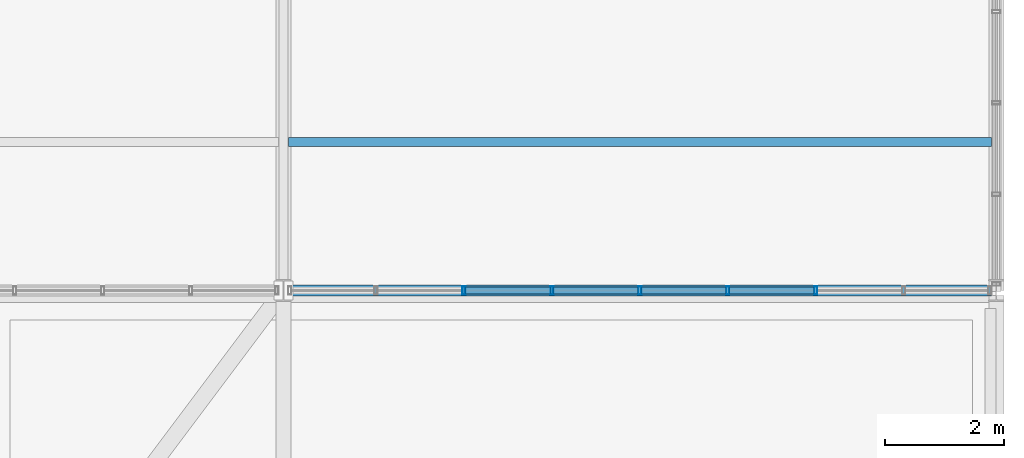
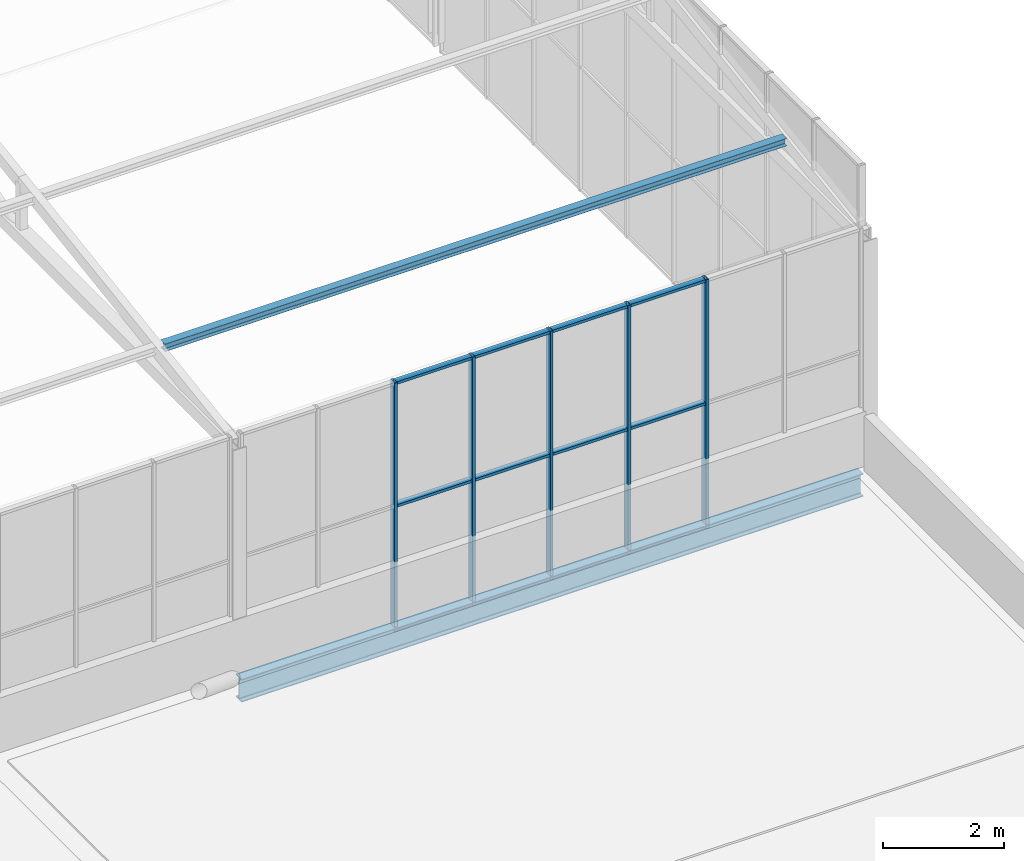
# One storey, part 60 of 104: 17 members, 2 beams, 1 element without a shape of its own.
"""IFC4 building model written with IfcOpenShell, lengths in metres."""

from ifc_helpers import new_model, si_unit, direction, frame, origin, origin_2d, place, context, subcontext, project, spatial, hollow_rectangle, i_section, extrude, material, layer, layer_set, material_profile, profile_set, type_object, element, aggregate, save


model = new_model("IFC4")

# Units and contexts
model_context = context("Model", 3, precision=1e-05, world=origin(), true_north=direction((0.0, 1.0)))
body_context = subcontext(model_context, "Body", "Model", "MODEL_VIEW")
ifc_project = project(units=[si_unit("LENGTHUNIT", "METRE"), si_unit("AREAUNIT", "SQUARE_METRE"), si_unit("VOLUMEUNIT", "CUBIC_METRE"), si_unit("PLANEANGLEUNIT", "RADIAN"), si_unit("MASSUNIT", "GRAM", prefix="KILO")], contexts=[model_context])

# Site, building, storey
site_placement = place(None, origin())
site = spatial("IfcSite", under=ifc_project, at=site_placement, CompositionType="ELEMENT")
building_placement = place(site_placement, origin())
building = spatial("IfcBuilding", under=site, at=building_placement, Name="Solvenia Promenade Tram Depot", CompositionType="ELEMENT")
storey_placement = place(building_placement, frame((0.0, 0.0, 9.0)))
storey = spatial("IfcBuildingStorey", under=building, at=storey_placement, Name="L02", CompositionType="ELEMENT", Elevation=9.0)

# Curtain wall, members
ifc_material_1 = material(Name="Anodized aluminium AW-6063 T6", Category="aluminium")
ifc_layer = layer(ifc_material_1, 0.080078125, Name="Anodized aluminium AW-6063 T6", Category="aluminium")
ifc_layer_set = layer_set([ifc_layer], Name="Anodized aluminium AW-6063 T6")
curtain_wall_type = type_object("IfcCurtainWallType", Name="CW-Clerest-1500", PredefinedType="NOTDEFINED", material=ifc_layer_set)
curtain_wall_placement = place(storey_placement, origin())
curtain_wall = element("IfcCurtainWall", 1, at=curtain_wall_placement, inside=storey, type_object=curtain_wall_type, Name="Curtain Wall CW-V2S-L2-09", PredefinedType="NOTDEFINED")
ifc_material_profile_1 = material_profile(ifc_material_1, hollow_rectangle(XDim=0.139892578125, YDim=0.054931640625, WallThickness=0.00390625, at=origin_2d()), Name="ALU-M4", Category="aluminium")
ifc_profile_set_1 = profile_set([ifc_material_profile_1], Name="Anodized aluminium AW-6063 T6")
member_type_1 = type_object("IfcMemberType", Name="CWM-Mullion-4", PredefinedType="MULLION", material=ifc_profile_set_1)
member_1_placement = place(storey_placement, frame((177.0400390625, 24.0, -0.300048828125), z_axis=(0.0, 0.0, 1.0), x_axis=(0.0, 1.0, 0.0)))
member_1 = element("IfcMember", 2, at=member_1_placement, type_object=member_type_1, Name="CW-4 mullion 3", PredefinedType="MULLION", context=body_context, shape_type="SweptSolid", body=[
    extrude(hollow_rectangle(XDim=0.139892578125, YDim=0.054931640625, WallThickness=0.00390625, at=origin_2d()), origin(), (0.0, 0.0, 1.0), 5.0),
])
member_2_placement = place(storey_placement, frame((178.52001953125, 24.0, -0.300048828125), z_axis=(0.0, 0.0, 1.0), x_axis=(0.0, 1.0, 0.0)))
member_2 = element("IfcMember", 3, at=member_2_placement, type_object=member_type_1, Name="CW-4 mullion 4", PredefinedType="MULLION", context=body_context, shape_type="SweptSolid", body=[
    extrude(hollow_rectangle(XDim=0.139892578125, YDim=0.054931640625, WallThickness=0.00390625, at=origin_2d()), origin(), (0.0, 0.0, 1.0), 5.0),
])
member_3_placement = place(storey_placement, frame((180.0, 24.0, -0.300048828125), z_axis=(0.0, 0.0, 1.0), x_axis=(0.0, 1.0, 0.0)))
member_3 = element("IfcMember", 4, at=member_3_placement, type_object=member_type_1, Name="CW-4 mullion 5", PredefinedType="MULLION", context=body_context, shape_type="SweptSolid", body=[
    extrude(hollow_rectangle(XDim=0.139892578125, YDim=0.054931640625, WallThickness=0.00390625, at=origin_2d()), origin(), (0.0, 0.0, 1.0), 5.0),
])
member_4_placement = place(storey_placement, frame((181.47998046875, 24.0, -0.300048828125), z_axis=(0.0, 0.0, 1.0), x_axis=(0.0, 1.0, 0.0)))
member_4 = element("IfcMember", 5, at=member_4_placement, type_object=member_type_1, Name="CW-4 mullion 6", PredefinedType="MULLION", context=body_context, shape_type="SweptSolid", body=[
    extrude(hollow_rectangle(XDim=0.139892578125, YDim=0.054931640625, WallThickness=0.00390625, at=origin_2d()), origin(), (0.0, 0.0, 1.0), 5.0),
])
member_5_placement = place(storey_placement, frame((182.9599609375, 24.0, -0.300048828125), z_axis=(0.0, 0.0, 1.0), x_axis=(0.0, 1.0, 0.0)))
member_5 = element("IfcMember", 6, at=member_5_placement, type_object=member_type_1, Name="CW-4 mullion 7", PredefinedType="MULLION", context=body_context, shape_type="SweptSolid", body=[
    extrude(hollow_rectangle(XDim=0.139892578125, YDim=0.054931640625, WallThickness=0.00390625, at=origin_2d()), origin(), (0.0, 0.0, 1.0), 5.0),
])
ifc_material_profile_2 = material_profile(ifc_material_1, hollow_rectangle(XDim=0.110107421875, YDim=0.054931640625, WallThickness=0.00390625, at=origin_2d()), Name="ALU-T4", Category="aluminium")
ifc_profile_set_2 = profile_set([ifc_material_profile_2], Name="Anodized aluminium AW-6063 T6")
member_type_2 = type_object("IfcMemberType", Name="CWT-Transom-4", PredefinedType="USERDEFINED", material=ifc_profile_set_2)
member_6_placement = place(storey_placement, frame((177.0673828125, 24.0, -0.2724609375), z_axis=(1.0, 0.0, 0.0), x_axis=(0.0, 1.0, 0.0)))
member_6 = element("IfcMember", 7, at=member_6_placement, type_object=member_type_2, Name="CW-4 transom 3.1", ObjectType="TRANSOM", PredefinedType="USERDEFINED", context=body_context, shape_type="SweptSolid", body=[
    extrude(hollow_rectangle(XDim=0.110107421875, YDim=0.054931640625, WallThickness=0.00390625, at=origin_2d()), origin(), (0.0, 0.0, 1.0), 1.425048828125),
])
member_7_placement = place(storey_placement, frame((177.0673828125, 24.0, 2.199951171875), z_axis=(1.0, 0.0, 0.0), x_axis=(0.0, 1.0, 0.0)))
member_7 = element("IfcMember", 8, at=member_7_placement, type_object=member_type_2, Name="CW-4 transom 3.2", ObjectType="TRANSOM", PredefinedType="USERDEFINED", context=body_context, shape_type="SweptSolid", body=[
    extrude(hollow_rectangle(XDim=0.110107421875, YDim=0.054931640625, WallThickness=0.00390625, at=origin_2d()), origin(), (0.0, 0.0, 1.0), 1.425048828125),
])
member_8_placement = place(storey_placement, frame((177.0673828125, 24.0, 4.672607421875), z_axis=(1.0, 0.0, 0.0), x_axis=(0.0, 1.0, 0.0)))
member_8 = element("IfcMember", 9, at=member_8_placement, type_object=member_type_2, Name="CW-4 transom 3.3", ObjectType="TRANSOM", PredefinedType="USERDEFINED", context=body_context, shape_type="SweptSolid", body=[
    extrude(hollow_rectangle(XDim=0.110107421875, YDim=0.054931640625, WallThickness=0.00390625, at=origin_2d()), origin(), (0.0, 0.0, 1.0), 1.425048828125),
])
member_9_placement = place(storey_placement, frame((178.547607421875, 24.0, -0.2724609375), z_axis=(1.0, 0.0, 0.0), x_axis=(0.0, 1.0, 0.0)))
member_9 = element("IfcMember", 10, at=member_9_placement, type_object=member_type_2, Name="CW-4 transom 4.1", ObjectType="TRANSOM", PredefinedType="USERDEFINED", context=body_context, shape_type="SweptSolid", body=[
    extrude(hollow_rectangle(XDim=0.110107421875, YDim=0.054931640625, WallThickness=0.00390625, at=origin_2d()), origin(), (0.0, 0.0, 1.0), 1.4248046875),
])
member_10_placement = place(storey_placement, frame((178.547607421875, 24.0, 2.199951171875), z_axis=(1.0, 0.0, 0.0), x_axis=(0.0, 1.0, 0.0)))
member_10 = element("IfcMember", 11, at=member_10_placement, type_object=member_type_2, Name="CW-4 transom 4.2", ObjectType="TRANSOM", PredefinedType="USERDEFINED", context=body_context, shape_type="SweptSolid", body=[
    extrude(hollow_rectangle(XDim=0.110107421875, YDim=0.054931640625, WallThickness=0.00390625, at=origin_2d()), origin(), (0.0, 0.0, 1.0), 1.4248046875),
])
member_11_placement = place(storey_placement, frame((178.547607421875, 24.0, 4.672607421875), z_axis=(1.0, 0.0, 0.0), x_axis=(0.0, 1.0, 0.0)))
member_11 = element("IfcMember", 12, at=member_11_placement, type_object=member_type_2, Name="CW-4 transom 4.3", ObjectType="TRANSOM", PredefinedType="USERDEFINED", context=body_context, shape_type="SweptSolid", body=[
    extrude(hollow_rectangle(XDim=0.110107421875, YDim=0.054931640625, WallThickness=0.00390625, at=origin_2d()), origin(), (0.0, 0.0, 1.0), 1.4248046875),
])
member_12_placement = place(storey_placement, frame((180.027587890625, 24.0, -0.2724609375), z_axis=(1.0, 0.0, 0.0), x_axis=(0.0, 1.0, 0.0)))
member_12 = element("IfcMember", 13, at=member_12_placement, type_object=member_type_2, Name="CW-4 transom 5.1", ObjectType="TRANSOM", PredefinedType="USERDEFINED", context=body_context, shape_type="SweptSolid", body=[
    extrude(hollow_rectangle(XDim=0.110107421875, YDim=0.054931640625, WallThickness=0.00390625, at=origin_2d()), origin(), (0.0, 0.0, 1.0), 1.4248046875),
])
member_13_placement = place(storey_placement, frame((180.027587890625, 24.0, 2.199951171875), z_axis=(1.0, 0.0, 0.0), x_axis=(0.0, 1.0, 0.0)))
member_13 = element("IfcMember", 14, at=member_13_placement, type_object=member_type_2, Name="CW-4 transom 5.2", ObjectType="TRANSOM", PredefinedType="USERDEFINED", context=body_context, shape_type="SweptSolid", body=[
    extrude(hollow_rectangle(XDim=0.110107421875, YDim=0.054931640625, WallThickness=0.00390625, at=origin_2d()), origin(), (0.0, 0.0, 1.0), 1.4248046875),
])
member_14_placement = place(storey_placement, frame((180.027587890625, 24.0, 4.672607421875), z_axis=(1.0, 0.0, 0.0), x_axis=(0.0, 1.0, 0.0)))
member_14 = element("IfcMember", 15, at=member_14_placement, type_object=member_type_2, Name="CW-4 transom 5.3", ObjectType="TRANSOM", PredefinedType="USERDEFINED", context=body_context, shape_type="SweptSolid", body=[
    extrude(hollow_rectangle(XDim=0.110107421875, YDim=0.054931640625, WallThickness=0.00390625, at=origin_2d()), origin(), (0.0, 0.0, 1.0), 1.4248046875),
])
member_15_placement = place(storey_placement, frame((181.507568359375, 24.0, -0.2724609375), z_axis=(1.0, 0.0, 0.0), x_axis=(0.0, 1.0, 0.0)))
member_15 = element("IfcMember", 16, at=member_15_placement, type_object=member_type_2, Name="CW-4 transom 6.1", ObjectType="TRANSOM", PredefinedType="USERDEFINED", context=body_context, shape_type="SweptSolid", body=[
    extrude(hollow_rectangle(XDim=0.110107421875, YDim=0.054931640625, WallThickness=0.00390625, at=origin_2d()), origin(), (0.0, 0.0, 1.0), 1.425048828125),
])
member_16_placement = place(storey_placement, frame((181.507568359375, 24.0, 2.199951171875), z_axis=(1.0, 0.0, 0.0), x_axis=(0.0, 1.0, 0.0)))
member_16 = element("IfcMember", 17, at=member_16_placement, type_object=member_type_2, Name="CW-4 transom 6.2", ObjectType="TRANSOM", PredefinedType="USERDEFINED", context=body_context, shape_type="SweptSolid", body=[
    extrude(hollow_rectangle(XDim=0.110107421875, YDim=0.054931640625, WallThickness=0.00390625, at=origin_2d()), origin(), (0.0, 0.0, 1.0), 1.425048828125),
])
member_17_placement = place(storey_placement, frame((181.507568359375, 24.0, 4.672607421875), z_axis=(1.0, 0.0, 0.0), x_axis=(0.0, 1.0, 0.0)))
member_17 = element("IfcMember", 18, at=member_17_placement, type_object=member_type_2, Name="CW-4 transom 6.3", ObjectType="TRANSOM", PredefinedType="USERDEFINED", context=body_context, shape_type="SweptSolid", body=[
    extrude(hollow_rectangle(XDim=0.110107421875, YDim=0.054931640625, WallThickness=0.00390625, at=origin_2d()), origin(), (0.0, 0.0, 1.0), 1.425048828125),
])
aggregate(curtain_wall, [member_1, member_2, member_3, member_4, member_5, member_6, member_7, member_8, member_9, member_10, member_11, member_12, member_13, member_14, member_15, member_16, member_17])

# Beams
ifc_material_2 = material(Name="Structural steel ASTM A992 Gr. 50", Category="steel")
ifc_material_profile_3 = material_profile(ifc_material_2, i_section(OverallWidth=0.152099609375, OverallDepth=0.152099609375, WebThickness=0.005859375, FlangeThickness=0.006591796875, FilletRadius=0.008056640625, at=origin_2d()), Name="W150x22", Category="steel")
ifc_profile_set_3 = profile_set([ifc_material_profile_3], Name="Structural steel ASTM A992 Gr. 50")
beam_type_1 = type_object("IfcBeamType", Name="Purlin-W150x22", PredefinedType="USERDEFINED", material=ifc_profile_set_3)
beam_1_placement = place(storey_placement, frame((174.0849609375, 26.5, 4.919921875), z_axis=(1.0, 0.0, 0.0), x_axis=(0.0, 1.0, 0.0)))
element("IfcBeam", 19, at=beam_1_placement, inside=storey, type_object=beam_type_1, Name="Clerestory Purlin 0217", ObjectType="PURLIN", PredefinedType="USERDEFINED", context=body_context, shape_type="SweptSolid", body=[
    extrude(i_section(OverallWidth=0.152099609375, OverallDepth=0.152099609375, WebThickness=0.005859375, FlangeThickness=0.006591796875, FilletRadius=0.008056640625, at=origin_2d()), origin(), (0.0, 0.0, 1.0), 11.830078125),
])
ifc_material_profile_4 = material_profile(ifc_material_2, i_section(OverallWidth=0.19091796875, OverallDepth=0.4599609375, WebThickness=0.010009765625, FlangeThickness=0.01611328125, FilletRadius=0.012939453125, at=origin_2d()), Name="W460x82", Category="steel")
ifc_profile_set_4 = profile_set([ifc_material_profile_4], Name="Structural steel ASTM A992 Gr. 50")
beam_type_2 = type_object("IfcBeamType", Name="Spandrel-W460x82", PredefinedType="SPANDREL", material=ifc_profile_set_4)
beam_2_placement = place(storey_placement, frame((174.0849609375, 24.0, -0.449951171875), z_axis=(1.0, 0.0, 0.0), x_axis=(0.0, 1.0, 0.0)))
element("IfcBeam", 20, at=beam_2_placement, inside=storey, type_object=beam_type_2, Name="Perimeter Spandrel BM-L02-0796", PredefinedType="SPANDREL", context=body_context, shape_type="SweptSolid", body=[
    extrude(i_section(OverallWidth=0.19091796875, OverallDepth=0.4599609375, WebThickness=0.010009765625, FlangeThickness=0.01611328125, FilletRadius=0.012939453125, at=origin_2d()), origin(), (0.0, 0.0, 1.0), 11.830078125),
])

save(model, "model.ifc")
